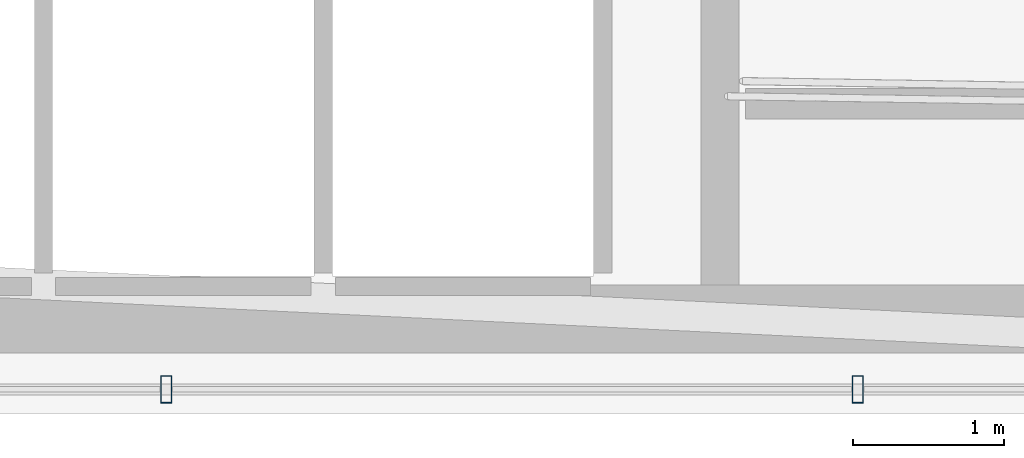
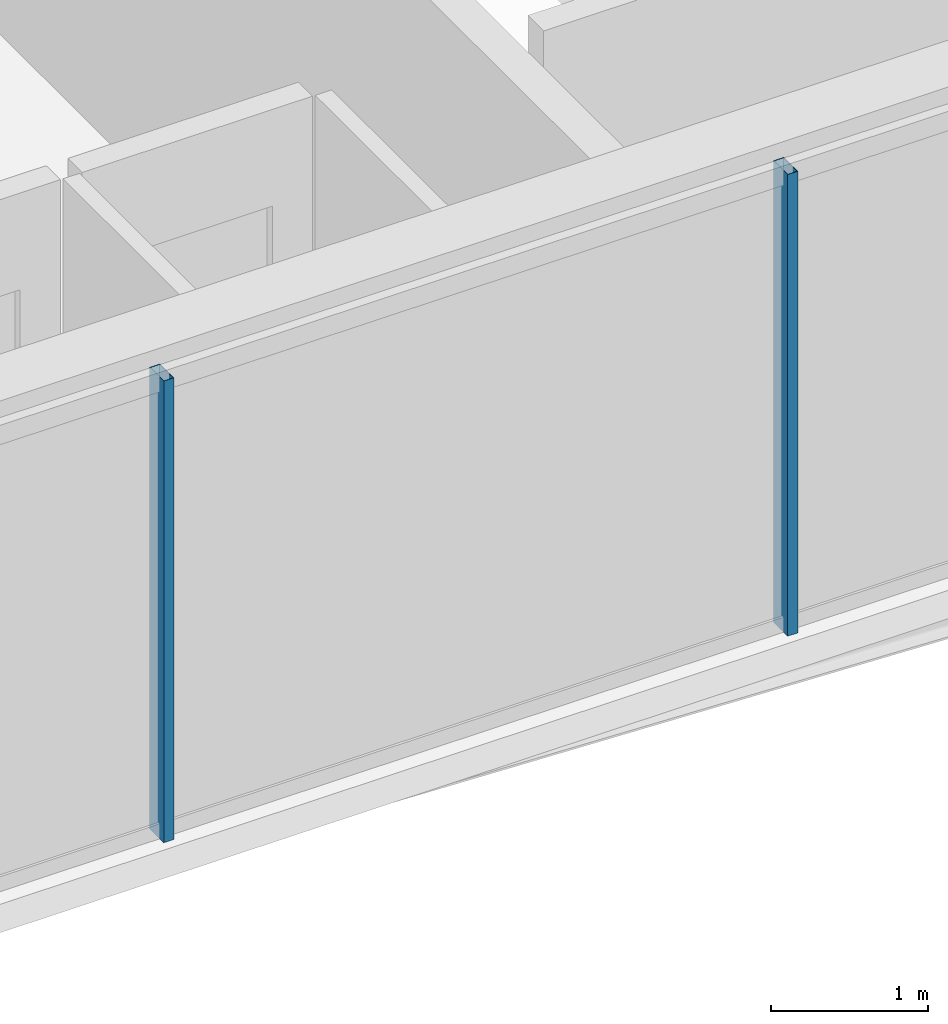
# One storey, part 7 of 32: 2 members, 1 element without a shape of its own.
"""IFC4 building model written with IfcOpenShell, lengths in metres."""

from ifc_helpers import new_model, si_unit, direction, frame, origin, origin_2d, place, context, subcontext, project, spatial, hollow_rectangle, extrude, material, layer, layer_set, material_profile, profile_set, type_object, element, aggregate, save


model = new_model("IFC4")

# Units and contexts
model_context = context("Model", 3, precision=1e-05, world=origin(), true_north=direction((0.0, 1.0)))
body_context = subcontext(model_context, "Body", "Model", "MODEL_VIEW")
ifc_project = project(units=[si_unit("LENGTHUNIT", "METRE"), si_unit("AREAUNIT", "SQUARE_METRE"), si_unit("VOLUMEUNIT", "CUBIC_METRE"), si_unit("PLANEANGLEUNIT", "RADIAN"), si_unit("MASSUNIT", "GRAM", prefix="KILO")], contexts=[model_context])

# Site, building, storey
site_placement = place(None, origin())
site = spatial("IfcSite", under=ifc_project, at=site_placement, CompositionType="ELEMENT")
building_placement = place(site_placement, origin())
building = spatial("IfcBuilding", under=site, at=building_placement, Name="Ndaravel Arena Tower", CompositionType="ELEMENT")
storey_placement = place(building_placement, frame((0.0, 0.0, 77.800048828125)))
storey = spatial("IfcBuildingStorey", under=building, at=storey_placement, Name="L17", CompositionType="ELEMENT", Elevation=77.800048828125)

# Curtain wall, members
ifc_material_1 = material(Name="Aluminium", Category="aluminium")
ifc_layer = layer(ifc_material_1, 0.179931640625)
ifc_layer_set = layer_set([ifc_layer], Name="Aluminium")
curtain_wall_type = type_object("IfcCurtainWallType", Name="CW-SYS-03", PredefinedType="NOTDEFINED", material=ifc_layer_set)
curtain_wall_placement = place(storey_placement, origin())
curtain_wall = element("IfcCurtainWall", 1, at=curtain_wall_placement, inside=storey, type_object=curtain_wall_type, Name="L17 Faceted Crystal Curtain Wall CW-L17-E01", PredefinedType="NOTDEFINED")
ifc_material_2 = material(Name="Aluminium", Category="aluminium")
ifc_material_profile = material_profile(ifc_material_2, hollow_rectangle(XDim=0.074951171875, YDim=0.179931640625, WallThickness=0.00390625, at=origin_2d()), Name="CW MULLION 75x180x4")
ifc_profile_set = profile_set([ifc_material_profile], Name="Aluminium")
member_type = type_object("IfcMemberType", Name="MEM-CW-MUL180", PredefinedType="MULLION", material=ifc_profile_set)
member_1_placement = place(storey_placement, frame((35.136474609375, 5.159912109375, 0.0), z_axis=(0.0, 0.0, 1.0), x_axis=(1.0, 0.0, 0.0)))
member_1 = element("IfcMember", 2, at=member_1_placement, type_object=member_type, Name="CW-L17-E01 Mullion 02", PredefinedType="MULLION", context=body_context, shape_type="SweptSolid", body=[
    extrude(hollow_rectangle(XDim=0.074951171875, YDim=0.179931640625, WallThickness=0.00390625, at=origin_2d()), origin(), (0.0, 0.0, 1.0), 3.579833984375),
])
member_2_placement = place(storey_placement, frame((39.712158203125, 5.159912109375, 0.0), z_axis=(0.0, 0.0, 1.0), x_axis=(1.0, 0.0, 0.0)))
member_2 = element("IfcMember", 3, at=member_2_placement, type_object=member_type, Name="CW-L17-E01 Mullion 03", PredefinedType="MULLION", context=body_context, shape_type="SweptSolid", body=[
    extrude(hollow_rectangle(XDim=0.074951171875, YDim=0.179931640625, WallThickness=0.00390625, at=origin_2d()), origin(), (0.0, 0.0, 1.0), 3.579833984375),
])
aggregate(curtain_wall, [member_1, member_2])

save(model, "model.ifc")
